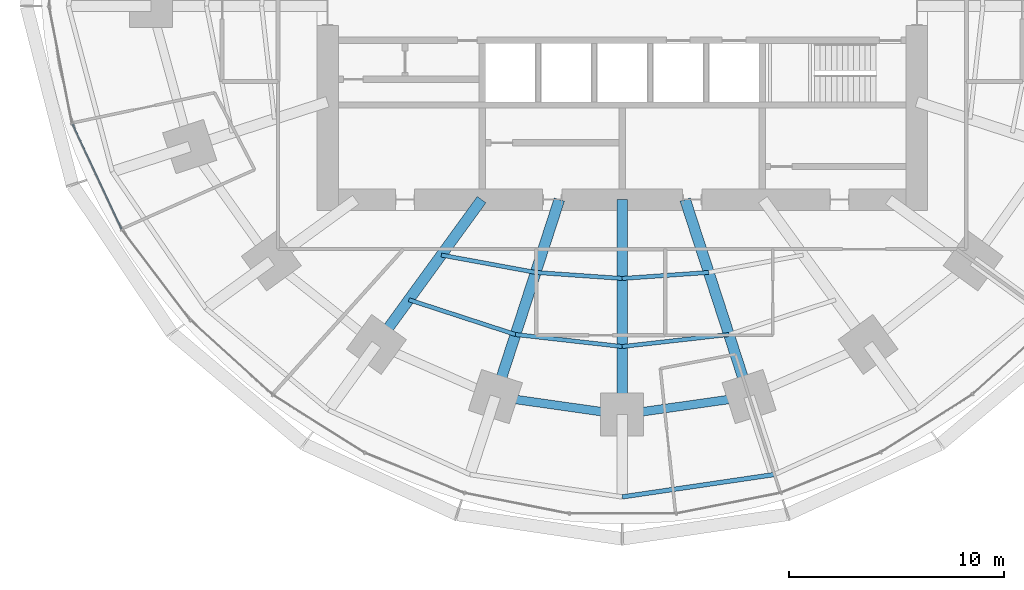
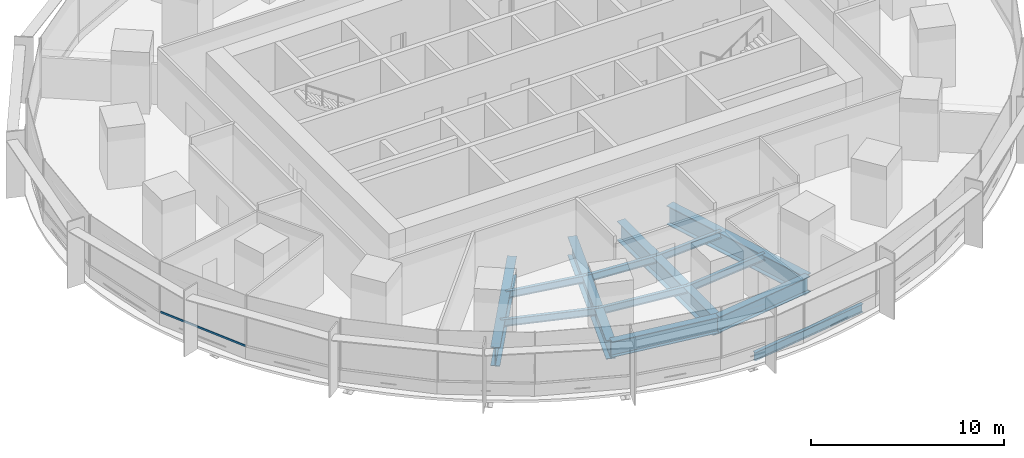
# One storey, part 3 of 15: 13 beams, 1 member, 1 element without a shape of its own.
"""IFC4 building model written with IfcOpenShell, lengths in metres."""

from ifc_helpers import new_model, si_unit, direction, frame, origin, origin_2d, place, context, subcontext, project, spatial, rectangle, i_section, extrude, material, material_profile, profile_set, type_object, element, aggregate, save


model = new_model("IFC4")

# Units and contexts
model_context = context("Model", 3, precision=1e-05, world=origin(), true_north=direction((0.0, 1.0)))
body_context = subcontext(model_context, "Body", "Model", "MODEL_VIEW")
ifc_project = project(units=[si_unit("LENGTHUNIT", "METRE"), si_unit("AREAUNIT", "SQUARE_METRE"), si_unit("VOLUMEUNIT", "CUBIC_METRE"), si_unit("PLANEANGLEUNIT", "RADIAN"), si_unit("MASSUNIT", "GRAM", prefix="KILO")], contexts=[model_context])

# Site, building, storey
site_placement = place(None, origin())
site = spatial("IfcSite", under=ifc_project, at=site_placement, CompositionType="ELEMENT")
building_placement = place(site_placement, origin())
building = spatial("IfcBuilding", under=site, at=building_placement, Name="Marramba Exchange Tower", CompositionType="ELEMENT")
storey_placement = place(building_placement, frame((0.0, 0.0, 74.199951171875)))
storey = spatial("IfcBuildingStorey", under=building, at=storey_placement, Name="L17", CompositionType="ELEMENT", Elevation=74.199951171875)

# Beams
ifc_material_1 = material(Name="Steel AS/NZS 3679.1 grade 300", Category="steel")
ifc_material_profile_1 = material_profile(ifc_material_1, i_section(OverallWidth=0.18994140625, OverallDepth=0.4541015625, WebThickness=0.008544921875, FlangeThickness=0.0126953125, FilletRadius=0.011474609375, at=origin_2d()), Name="460UB67.1")
ifc_profile_set_1 = profile_set([ifc_material_profile_1], Name="Steel AS/NZS 3679.1 grade 300")
beam_type_1 = type_object("IfcBeamType", Name="Floor joist 460UB67.1", PredefinedType="JOIST", material=ifc_profile_set_1)
beam_1_placement = place(storey_placement, frame((-8.41162109375, -11.57763671875, -0.386962890625), z_axis=(0.983455754421, -0.181148500119, 0.0), x_axis=(0.181148500119, 0.983455754421, 0.0)))
element("IfcBeam", 1, at=beam_1_placement, inside=storey, type_object=beam_type_1, Name="Joist L17 bay 14 row 1", PredefinedType="JOIST", context=body_context, shape_type="SweptSolid", body=[
    extrude(i_section(OverallWidth=0.18994140625, OverallDepth=0.4541015625, WebThickness=0.008544921875, FlangeThickness=0.0126953125, FilletRadius=0.011474609375, at=origin_2d()), origin(), (0.0, 0.0, 1.0), 4.4609375),
])
beam_2_placement = place(storey_placement, frame((-9.9208984375, -13.655029296875, -0.386962890625), z_axis=(0.950764024931, -0.309915744834, 0.0), x_axis=(0.309915744834, 0.950764024931, 0.0)))
element("IfcBeam", 2, at=beam_2_placement, inside=storey, type_object=beam_type_1, Name="Joist L17 bay 14 row 2", PredefinedType="JOIST", context=body_context, shape_type="SweptSolid", body=[
    extrude(i_section(OverallWidth=0.18994140625, OverallDepth=0.4541015625, WebThickness=0.008544921875, FlangeThickness=0.0126953125, FilletRadius=0.011474609375, at=origin_2d()), origin(), (0.0, 0.0, 1.0), 5.2158203125),
])
beam_3_placement = place(storey_placement, frame((-4.0244140625, -12.3857421875, -0.386962890625), z_axis=(0.99759625901, -0.069294328838, 0.0), x_axis=(0.069294328838, 0.99759625901, 0.0)))
element("IfcBeam", 3, at=beam_3_placement, inside=storey, type_object=beam_type_1, Name="Joist L17 bay 15 row 1", PredefinedType="JOIST", context=body_context, shape_type="SweptSolid", body=[
    extrude(i_section(OverallWidth=0.18994140625, OverallDepth=0.4541015625, WebThickness=0.008544921875, FlangeThickness=0.0126953125, FilletRadius=0.011474609375, at=origin_2d()), origin(), (0.0, 0.0, 1.0), 4.0341796875),
])
beam_4_placement = place(storey_placement, frame((-4.9619140625, -15.271484375, -0.386962890625), z_axis=(0.993712018573, -0.111966174106, 0.0), x_axis=(0.111966174106, 0.993712018573, 0.0)))
element("IfcBeam", 4, at=beam_4_placement, inside=storey, type_object=beam_type_1, Name="Joist L17 bay 15 row 2", PredefinedType="JOIST", context=body_context, shape_type="SweptSolid", body=[
    extrude(i_section(OverallWidth=0.18994140625, OverallDepth=0.4541015625, WebThickness=0.008544921875, FlangeThickness=0.0126953125, FilletRadius=0.011474609375, at=origin_2d()), origin(), (0.0, 0.0, 1.0), 4.993408203125),
])
beam_5_placement = place(storey_placement, frame((0.0, -12.665283203125, -0.386962890625), z_axis=(0.99759625901, 0.069294328838, 0.0), x_axis=(-0.069294328838, 0.99759625901, 0.0)))
element("IfcBeam", 5, at=beam_5_placement, inside=storey, type_object=beam_type_1, Name="Joist L17 bay 16 row 1", PredefinedType="JOIST", context=body_context, shape_type="SweptSolid", body=[
    extrude(i_section(OverallWidth=0.18994140625, OverallDepth=0.4541015625, WebThickness=0.008544921875, FlangeThickness=0.0126953125, FilletRadius=0.011474609375, at=origin_2d()), origin(), (0.0, 0.0, 1.0), 4.0341796875),
])
beam_6_placement = place(storey_placement, frame((0.0, -15.83056640625, -0.386962890625), z_axis=(0.993712018573, 0.111966174106, 0.0), x_axis=(-0.111966174106, 0.993712018573, 0.0)))
element("IfcBeam", 6, at=beam_6_placement, inside=storey, type_object=beam_type_1, Name="Joist L17 bay 16 row 2", PredefinedType="JOIST", context=body_context, shape_type="SweptSolid", body=[
    extrude(i_section(OverallWidth=0.18994140625, OverallDepth=0.4541015625, WebThickness=0.008544921875, FlangeThickness=0.0126953125, FilletRadius=0.011474609375, at=origin_2d()), origin(), (0.0, 0.0, 1.0), 4.993408203125),
])
ifc_material_2 = material(Name="Steel AS/NZS 3679.2 grade 300", Category="steel")
ifc_material_profile_2 = material_profile(ifc_material_2, i_section(OverallWidth=0.5, OverallDepth=1.199951171875, WebThickness=0.01611328125, FlangeThickness=0.0400390625, at=origin_2d()), Name="1200WB455")
ifc_profile_set_2 = profile_set([ifc_material_profile_2], Name="Steel AS/NZS 3679.2 grade 300")
beam_type_2 = type_object("IfcBeamType", Name="Radial girder 1200WB455", PredefinedType="BEAM", material=ifc_profile_set_2)
beam_7_placement = place(storey_placement, frame((-6.538818359375, -9.0, -0.760009765625), z_axis=(-0.587787877172, -0.809015087282, 0.0), x_axis=(0.809015087282, -0.587787877172, 0.0)))
element("IfcBeam", 7, at=beam_7_placement, inside=storey, type_object=beam_type_2, Name="Radial girder L17 TC14", PredefinedType="BEAM", context=body_context, shape_type="SweptSolid", body=[
    extrude(i_section(OverallWidth=0.5, OverallDepth=1.199951171875, WebThickness=0.01611328125, FlangeThickness=0.0400390625, at=origin_2d()), origin(), (0.0, 0.0, 1.0), 8.322021484375),
])
beam_8_placement = place(storey_placement, frame((-2.92431640625, -9.0, -0.760009765625), z_axis=(-0.309022428985, -0.951054750466, 0.0), x_axis=(0.951054750466, -0.309022428985, 0.0)))
element("IfcBeam", 8, at=beam_8_placement, inside=storey, type_object=beam_type_2, Name="Radial girder L17 TC15", PredefinedType="BEAM", context=body_context, shape_type="SweptSolid", body=[
    extrude(i_section(OverallWidth=0.5, OverallDepth=1.199951171875, WebThickness=0.01611328125, FlangeThickness=0.0400390625, at=origin_2d()), origin(), (0.0, 0.0, 1.0), 9.628173828125),
])
beam_9_placement = place(storey_placement, frame((0.0, -9.0, -0.760009765625), z_axis=(0.0, -1.0, 0.0), x_axis=(1.0, 0.0, 0.0)))
element("IfcBeam", 9, at=beam_9_placement, inside=storey, type_object=beam_type_2, Name="Radial girder L17 TC16", PredefinedType="BEAM", context=body_context, shape_type="SweptSolid", body=[
    extrude(i_section(OverallWidth=0.5, OverallDepth=1.199951171875, WebThickness=0.01611328125, FlangeThickness=0.0400390625, at=origin_2d()), origin(), (0.0, 0.0, 1.0), 9.99609375),
])
beam_10_placement = place(storey_placement, frame((2.92431640625, -9.0, -0.760009765625), z_axis=(0.309022428985, -0.951054750466, 0.0), x_axis=(0.951054750466, 0.309022428985, 0.0)))
element("IfcBeam", 10, at=beam_10_placement, inside=storey, type_object=beam_type_2, Name="Radial girder L17 TC17", PredefinedType="BEAM", context=body_context, shape_type="SweptSolid", body=[
    extrude(i_section(OverallWidth=0.5, OverallDepth=1.199951171875, WebThickness=0.01611328125, FlangeThickness=0.0400390625, at=origin_2d()), origin(), (0.0, 0.0, 1.0), 9.628173828125),
])
ifc_material_profile_3 = material_profile(ifc_material_2, i_section(OverallWidth=0.39990234375, OverallDepth=1.0, WebThickness=0.01611328125, FlangeThickness=0.031982421875, at=origin_2d()), Name="1000WB322")
ifc_profile_set_3 = profile_set([ifc_material_profile_3], Name="Steel AS/NZS 3679.2 grade 300")
beam_type_3 = type_object("IfcBeamType", Name="Ring beam 1000WB322", PredefinedType="SPANDREL", material=ifc_profile_set_3)
for number, where, z_axis, x_axis, name in (
    (11, (-5.899658203125, -18.156982421875, -0.659912109375), (0.990036163016, -0.140813337152, 0.0), (0.140813337152, 0.990036163016, 0.0), "Ring beam L17 TC15-TC16"),
    (12, (0.0, -18.99609375, -0.659912109375), (0.990036163016, 0.140813337152, 0.0), (-0.140813337152, 0.990036163016, 0.0), "Ring beam L17 TC16-TC17"),
):
    element("IfcBeam", number, at=place(storey_placement, frame(where, z_axis=z_axis, x_axis=x_axis)), inside=storey, type_object=beam_type_3, Name=name, PredefinedType="SPANDREL", context=body_context, shape_type="SweptSolid", body=[
        extrude(i_section(OverallWidth=0.39990234375, OverallDepth=1.0, WebThickness=0.01611328125, FlangeThickness=0.031982421875, at=origin_2d()), origin(), (0.0, 0.0, 1.0), 5.958984375),
    ])
ifc_material_profile_4 = material_profile(ifc_material_1, i_section(OverallWidth=0.208984375, OverallDepth=0.528076171875, WebThickness=0.009521484375, FlangeThickness=0.01318359375, FilletRadius=0.013916015625, at=origin_2d()), Name="530UB82.0")
ifc_profile_set_4 = profile_set([ifc_material_profile_4], Name="Steel AS/NZS 3679.1 grade 300")
beam_type_4 = type_object("IfcBeamType", Name="Slab edge beam 530UB82.0", PredefinedType="SPANDREL", material=ifc_profile_set_4)
beam_11_placement = place(storey_placement, frame((0.0, -22.822021484375, -0.424072265625), z_axis=(0.989338462178, 0.145634498848, 0.0), x_axis=(-0.145634498848, 0.989338462178, 0.0)))
element("IfcBeam", 13, at=beam_11_placement, inside=storey, type_object=beam_type_4, Name="Slab edge beam L17 TC16-TC17", PredefinedType="SPANDREL", context=body_context, shape_type="SweptSolid", body=[
    extrude(i_section(OverallWidth=0.208984375, OverallDepth=0.528076171875, WebThickness=0.009521484375, FlangeThickness=0.01318359375, FilletRadius=0.013916015625, at=origin_2d()), origin(), (0.0, 0.0, 1.0), 7.153076171875),
])

# Curtain wall, member
ifc_material_3 = material(Name="Aluminium framing, bronze anodised", Category="aluminium")
curtain_wall_type = type_object("IfcCurtainWallType", Name="Trading floor ribbon curtain wall", PredefinedType="USERDEFINED", material=ifc_material_3)
curtain_wall_placement = place(storey_placement, origin())
curtain_wall = element("IfcCurtainWall", 14, at=curtain_wall_placement, inside=storey, type_object=curtain_wall_type, Name="Curtain wall CW3 L17 F16-F20", ObjectType="RIBBON CURTAIN WALL", PredefinedType="USERDEFINED")
ifc_material_4 = material(Name="Aluminium transom, bronze anodised", Category="aluminium")
ifc_material_profile_5 = material_profile(ifc_material_4, rectangle(XDim=0.06005859375, YDim=0.1201171875, at=origin_2d()), Name="CW3 transom 60x120")
ifc_profile_set_5 = profile_set([ifc_material_profile_5], Name="Aluminium transom, bronze anodised")
member_type = type_object("IfcMemberType", Name="Trading floor ribbon curtain wall transom", PredefinedType="USERDEFINED", material=ifc_profile_set_5)
member_placement = place(storey_placement, frame((-25.559326171875, -5.492431640625, 0.830078125), z_axis=(0.423494101671, -0.905898860718, 0.0), x_axis=(0.905898860718, 0.423494101671, 0.0)))
member = element("IfcMember", 15, at=member_placement, type_object=member_type, Name="CW3 sill transom", ObjectType="TRANSOM", PredefinedType="USERDEFINED", context=body_context, shape_type="SweptSolid", body=[
    extrude(rectangle(XDim=0.06005859375, YDim=0.1201171875, at=origin_2d()), origin(), (0.0, 0.0, 1.0), 5.379150390625),
])
aggregate(curtain_wall, [member])

save(model, "model.ifc")
